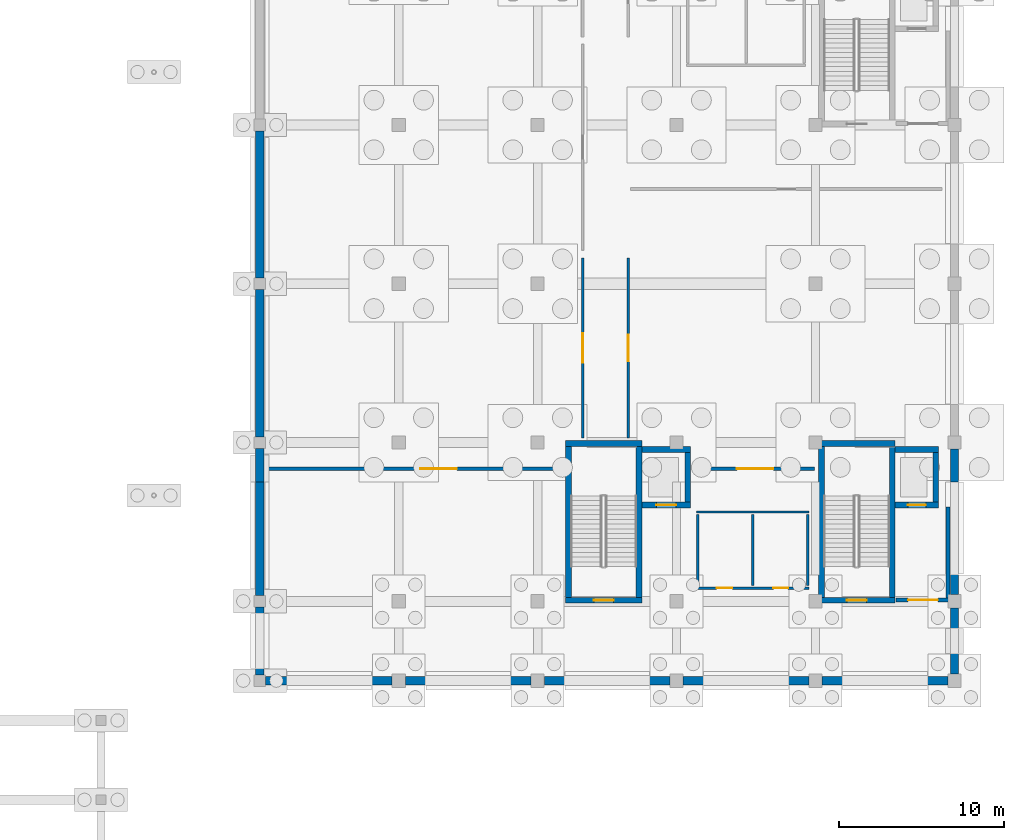
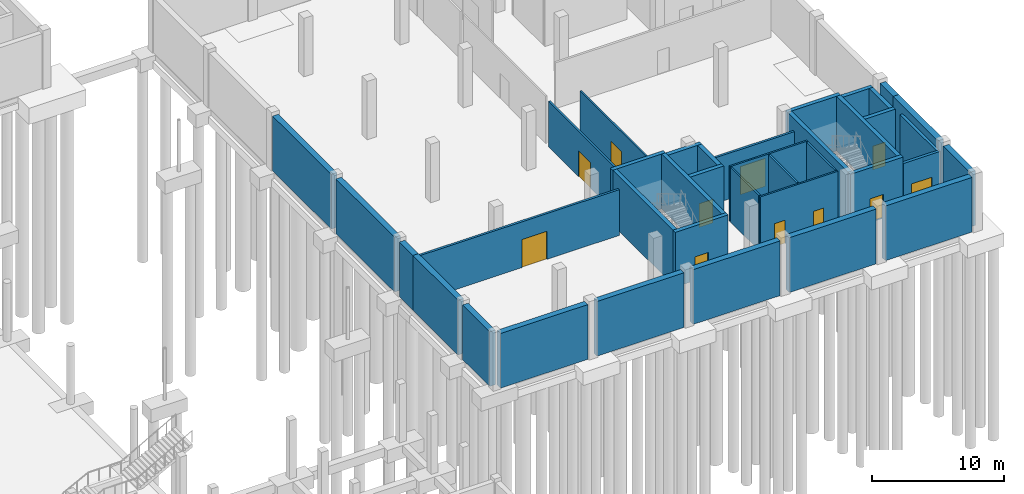
# One storey, part 27 of 41: 38 walls, 11 doors, 11 openings.
"""IFC4 building model written with IfcOpenShell, lengths in metres."""

from ifc_helpers import new_model, si_unit, direction, frame, frame_2d, origin, place, context, subcontext, project, spatial, rectangle, extrude, material, layer, layer_set, type_object, element, fill, save


model = new_model("IFC4")

# Units and contexts
model_context = context("Model", 3, precision=1e-05, world=origin(), true_north=direction((0.0, 1.0)))
body_context = subcontext(model_context, "Body", "Model", "MODEL_VIEW")
ifc_project = project(units=[si_unit("LENGTHUNIT", "METRE"), si_unit("AREAUNIT", "SQUARE_METRE"), si_unit("VOLUMEUNIT", "CUBIC_METRE"), si_unit("PLANEANGLEUNIT", "RADIAN"), si_unit("MASSUNIT", "GRAM", prefix="KILO")], contexts=[model_context])

# Site, building, storey
site_placement = place(None, origin())
site = spatial("IfcSite", under=ifc_project, at=site_placement, CompositionType="ELEMENT")
building_placement = place(site_placement, origin())
building = spatial("IfcBuilding", under=site, at=building_placement, Name="Shalvenor Court Art Gallery", CompositionType="ELEMENT")
storey_placement = place(building_placement, frame((0.0, 0.0, -5.39990234375)))
storey = spatial("IfcBuildingStorey", under=building, at=storey_placement, Name="B01", CompositionType="ELEMENT", Elevation=-5.39990234375)

# Walls
ifc_material_1 = material(Name="Concrete C40/50", Category="concrete")
ifc_layer_1 = layer(ifc_material_1, 0.35009765625, Name="Concrete C40/50")
ifc_layer_set_1 = layer_set([ifc_layer_1], Name="Concrete C40/50")
wall_type_1 = type_object("IfcWallType", Name="CW-W1", PredefinedType="SHEAR", material=ifc_layer_set_1)
wall_1_placement = place(storey_placement, frame((168.18798828125, 59.93701171875, 0.0), z_axis=(0.0, 0.0, 1.0), x_axis=(1.0, 0.0, 0.0)))
element("IfcWall", 1, at=wall_1_placement, inside=storey, type_object=wall_type_1, Name="B01 C2 Stair Core Shear Wall N", PredefinedType="SHEAR", context=body_context, shape_type="SweptSolid", body=[
    extrude(rectangle(XDim=4.6240234375, YDim=0.35009765625, at=frame_2d((2.31201171875, 0.0))), origin(), (0.0, 0.0, 1.0), 5.059814453125),
])
wall_2_placement = place(storey_placement, frame((172.636962890625, 59.761962890625, 0.0), z_axis=(0.0, 0.0, 1.0), x_axis=(0.0, -1.0, 0.0)))
element("IfcWall", 2, at=wall_2_placement, inside=storey, type_object=wall_type_1, Name="B01 C2 Stair Core Shear Wall E", PredefinedType="SHEAR", context=body_context, shape_type="SweptSolid", body=[
    extrude(rectangle(XDim=9.1240234375, YDim=0.35009765625, at=frame_2d((4.56201171875, 0.0))), origin(), (0.0, 0.0, 1.0), 5.059814453125),
])

# Wall, opening, door
wall_3_placement = place(storey_placement, frame((172.81201171875, 50.462890625, 0.0), z_axis=(0.0, 0.0, 1.0), x_axis=(-1.0, 0.0, 0.0)))
wall_3 = element("IfcWall", 3, at=wall_3_placement, inside=storey, type_object=wall_type_1, Name="B01 C2 Stair Core Shear Wall S", PredefinedType="SHEAR", context=body_context, shape_type="SweptSolid", body=[
    extrude(rectangle(XDim=4.6240234375, YDim=0.35009765625, at=frame_2d((2.31201171875, 0.0))), origin(), (0.0, 0.0, 1.0), 5.059814453125),
])
opening_1_placement = place(wall_3_placement, frame((1.7119140625, 0.0, 0.0)))
opening_1 = element("IfcOpeningElement", 4, at=opening_1_placement, cuts=wall_3, Name="Opening FD-01", PredefinedType="OPENING", context=body_context, shape_type="SweptSolid", body=[
    extrude(rectangle(XDim=1.199951171875, YDim=2.199951171875, at=frame_2d((0.60009765625, 1.10009765625))), frame((0.0, 0.18505859375, 0.0), z_axis=(0.0, -1.0, 0.0), x_axis=(1.0, 0.0, 0.0)), (0.0, 0.0, 1.0), 0.3701171875),
])
ifc_material_2 = material(Name="Fire-rated steel stair doorset", Category="steel")
door_type_1 = type_object("IfcDoorType", Name="FD-01", OperationType="NOTDEFINED", PredefinedType="DOOR", material=ifc_material_2)
door_1_placement = place(opening_1_placement, origin())
door_1 = element("IfcDoor", 5, at=door_1_placement, inside=storey, type_object=door_type_1, Name="DR-ST-B01-C2 B01 ST-02 Fire Stair Door", OperationType="SINGLE_SWING_LEFT", OverallHeight=2.199951171875, OverallWidth=1.199951171875, PredefinedType="DOOR", context=body_context, shape_type="SweptSolid", body=[
    extrude(rectangle(XDim=1.199951171875, YDim=2.199951171875, at=frame_2d((0.60009765625, 1.10009765625))), frame((0.0, 0.02490234375, 0.0), z_axis=(0.0, -1.0, 0.0), x_axis=(1.0, 0.0, 0.0)), (0.0, 0.0, 1.0), 0.050048828125),
])
fill(opening_1, door_1)

# Walls
wall_4_placement = place(storey_placement, frame((168.363037109375, 50.637939453125, 0.0), z_axis=(0.0, 0.0, 1.0), x_axis=(0.0, 1.0, 0.0)))
element("IfcWall", 6, at=wall_4_placement, inside=storey, type_object=wall_type_1, Name="B01 C2 Stair Core Shear Wall W", PredefinedType="SHEAR", context=body_context, shape_type="SweptSolid", body=[
    extrude(rectangle(XDim=9.1240234375, YDim=0.35009765625, at=frame_2d((4.56201171875, 0.0))), origin(), (0.0, 0.0, 1.0), 5.059814453125),
])
wall_5_placement = place(storey_placement, frame((172.81201171875, 59.574951171875, 0.0), z_axis=(0.0, 0.0, 1.0), x_axis=(1.0, 0.0, 0.0)))
element("IfcWall", 7, at=wall_5_placement, inside=storey, type_object=wall_type_1, Name="B01 FL-02 Lift Shaft Wall N", PredefinedType="SHEAR", context=body_context, shape_type="SweptSolid", body=[
    extrude(rectangle(XDim=2.637939453125, YDim=0.35009765625, at=frame_2d((1.31884765625, 0.0))), origin(), (0.0, 0.0, 1.0), 5.059814453125),
])
wall_6_placement = place(storey_placement, frame((175.27490234375, 59.39990234375, 0.0), z_axis=(0.0, 0.0, 1.0), x_axis=(0.0, -1.0, 0.0)))
element("IfcWall", 8, at=wall_6_placement, inside=storey, type_object=wall_type_1, Name="B01 FL-02 Lift Shaft Wall E", PredefinedType="SHEAR", context=body_context, shape_type="SweptSolid", body=[
    extrude(rectangle(XDim=3.0, YDim=0.35009765625, at=frame_2d((1.5, 0.0))), origin(), (0.0, 0.0, 1.0), 5.059814453125),
])

# Wall, opening, door
wall_7_placement = place(storey_placement, frame((175.449951171875, 56.22509765625, 0.0), z_axis=(0.0, 0.0, 1.0), x_axis=(-1.0, 0.0, 0.0)))
wall_7 = element("IfcWall", 9, at=wall_7_placement, inside=storey, type_object=wall_type_1, Name="B01 FL-02 Lift Shaft Wall S", PredefinedType="SHEAR", context=body_context, shape_type="SweptSolid", body=[
    extrude(rectangle(XDim=2.637939453125, YDim=0.35009765625, at=frame_2d((1.31884765625, 0.0))), origin(), (0.0, 0.0, 1.0), 5.059814453125),
])
opening_2_placement = place(wall_7_placement, frame((0.76904296875, 0.0, 0.0)))
opening_2 = element("IfcOpeningElement", 10, at=opening_2_placement, cuts=wall_7, Name="Opening LD-01", PredefinedType="OPENING", context=body_context, shape_type="SweptSolid", body=[
    extrude(rectangle(XDim=1.10009765625, YDim=2.199951171875, at=frame_2d((0.550048828125, 1.10009765625))), frame((0.0, 0.18505859375, 0.0), z_axis=(0.0, -1.0, 0.0), x_axis=(1.0, 0.0, 0.0)), (0.0, 0.0, 1.0), 0.3701171875),
])
ifc_material_3 = material(Name="Stainless steel firefighting lift sliding landing door", Category="steel")
door_type_2 = type_object("IfcDoorType", Name="LD-01", OperationType="NOTDEFINED", PredefinedType="DOOR", material=ifc_material_3)
door_2_placement = place(opening_2_placement, origin())
door_2 = element("IfcDoor", 11, at=door_2_placement, inside=storey, type_object=door_type_2, Name="DR-LD-B01-FL-02 B01 FL-02 Lift Landing Sliding Door", OperationType="DOUBLE_DOOR_SLIDING", OverallHeight=2.199951171875, OverallWidth=1.10009765625, PredefinedType="DOOR", context=body_context, shape_type="SweptSolid", body=[
    extrude(rectangle(XDim=1.10009765625, YDim=2.199951171875, at=frame_2d((0.550048828125, 1.10009765625))), frame((0.0, 0.02490234375, 0.0), z_axis=(0.0, -1.0, 0.0), x_axis=(1.0, 0.0, 0.0)), (0.0, 0.0, 1.0), 0.050048828125),
])
fill(opening_2, door_2)

# Walls
wall_8_placement = place(storey_placement, frame((152.887939453125, 59.93701171875, 0.0), z_axis=(0.0, 0.0, 1.0), x_axis=(1.0, 0.0, 0.0)))
element("IfcWall", 12, at=wall_8_placement, inside=storey, type_object=wall_type_1, Name="B01 C3 Stair Core Shear Wall N", PredefinedType="SHEAR", context=body_context, shape_type="SweptSolid", body=[
    extrude(rectangle(XDim=4.6240234375, YDim=0.35009765625, at=frame_2d((2.31201171875, 0.0))), origin(), (0.0, 0.0, 1.0), 5.059814453125),
])
wall_9_placement = place(storey_placement, frame((157.3369140625, 59.761962890625, 0.0), z_axis=(0.0, 0.0, 1.0), x_axis=(0.0, -1.0, 0.0)))
element("IfcWall", 13, at=wall_9_placement, inside=storey, type_object=wall_type_1, Name="B01 C3 Stair Core Shear Wall E", PredefinedType="SHEAR", context=body_context, shape_type="SweptSolid", body=[
    extrude(rectangle(XDim=9.1240234375, YDim=0.35009765625, at=frame_2d((4.56201171875, 0.0))), origin(), (0.0, 0.0, 1.0), 5.059814453125),
])

# Wall, opening, door
wall_10_placement = place(storey_placement, frame((157.511962890625, 50.462890625, 0.0), z_axis=(0.0, 0.0, 1.0), x_axis=(-1.0, 0.0, 0.0)))
wall_10 = element("IfcWall", 14, at=wall_10_placement, inside=storey, type_object=wall_type_1, Name="B01 C3 Stair Core Shear Wall S", PredefinedType="SHEAR", context=body_context, shape_type="SweptSolid", body=[
    extrude(rectangle(XDim=4.6240234375, YDim=0.35009765625, at=frame_2d((2.31201171875, 0.0))), origin(), (0.0, 0.0, 1.0), 5.059814453125),
])
opening_3_placement = place(wall_10_placement, frame((1.7119140625, 0.0, 0.0)))
opening_3 = element("IfcOpeningElement", 15, at=opening_3_placement, cuts=wall_10, Name="Opening FD-01", PredefinedType="OPENING", context=body_context, shape_type="SweptSolid", body=[
    extrude(rectangle(XDim=1.199951171875, YDim=2.199951171875, at=frame_2d((0.60009765625, 1.10009765625))), frame((0.0, 0.18505859375, 0.0), z_axis=(0.0, -1.0, 0.0), x_axis=(1.0, 0.0, 0.0)), (0.0, 0.0, 1.0), 0.3701171875),
])
door_3_placement = place(opening_3_placement, origin())
door_3 = element("IfcDoor", 16, at=door_3_placement, inside=storey, type_object=door_type_1, Name="DR-ST-B01-C3 B01 ST-03 Fire Stair Door", OperationType="SINGLE_SWING_RIGHT", OverallHeight=2.199951171875, OverallWidth=1.199951171875, PredefinedType="DOOR", context=body_context, shape_type="SweptSolid", body=[
    extrude(rectangle(XDim=1.199951171875, YDim=2.199951171875, at=frame_2d((0.60009765625, 1.10009765625))), frame((0.0, 0.02490234375, 0.0), z_axis=(0.0, -1.0, 0.0), x_axis=(1.0, 0.0, 0.0)), (0.0, 0.0, 1.0), 0.050048828125),
])
fill(opening_3, door_3)

# Walls
wall_11_placement = place(storey_placement, frame((153.06298828125, 50.637939453125, 0.0), z_axis=(0.0, 0.0, 1.0), x_axis=(0.0, 1.0, 0.0)))
element("IfcWall", 17, at=wall_11_placement, inside=storey, type_object=wall_type_1, Name="B01 C3 Stair Core Shear Wall W", PredefinedType="SHEAR", context=body_context, shape_type="SweptSolid", body=[
    extrude(rectangle(XDim=9.1240234375, YDim=0.35009765625, at=frame_2d((4.56201171875, 0.0))), origin(), (0.0, 0.0, 1.0), 5.059814453125),
])
wall_12_placement = place(storey_placement, frame((157.511962890625, 59.574951171875, 0.0), z_axis=(0.0, 0.0, 1.0), x_axis=(1.0, 0.0, 0.0)))
element("IfcWall", 18, at=wall_12_placement, inside=storey, type_object=wall_type_1, Name="B01 PL-01 Lift Shaft Wall N", PredefinedType="SHEAR", context=body_context, shape_type="SweptSolid", body=[
    extrude(rectangle(XDim=2.93798828125, YDim=0.35009765625, at=frame_2d((1.468994140625, 0.0))), origin(), (0.0, 0.0, 1.0), 5.059814453125),
])
wall_13_placement = place(storey_placement, frame((160.27490234375, 59.39990234375, 0.0), z_axis=(0.0, 0.0, 1.0), x_axis=(0.0, -1.0, 0.0)))
element("IfcWall", 19, at=wall_13_placement, inside=storey, type_object=wall_type_1, Name="B01 PL-01 Lift Shaft Wall E", PredefinedType="SHEAR", context=body_context, shape_type="SweptSolid", body=[
    extrude(rectangle(XDim=3.0, YDim=0.35009765625, at=frame_2d((1.5, 0.0))), origin(), (0.0, 0.0, 1.0), 5.059814453125),
])

# Wall, opening, door
wall_14_placement = place(storey_placement, frame((160.449951171875, 56.22509765625, 0.0), z_axis=(0.0, 0.0, 1.0), x_axis=(-1.0, 0.0, 0.0)))
wall_14 = element("IfcWall", 20, at=wall_14_placement, inside=storey, type_object=wall_type_1, Name="B01 PL-01 Lift Shaft Wall S", PredefinedType="SHEAR", context=body_context, shape_type="SweptSolid", body=[
    extrude(rectangle(XDim=2.93798828125, YDim=0.35009765625, at=frame_2d((1.468994140625, 0.0))), origin(), (0.0, 0.0, 1.0), 5.059814453125),
])
opening_4_placement = place(wall_14_placement, frame((0.868896484375, 0.0, 0.0)))
opening_4 = element("IfcOpeningElement", 21, at=opening_4_placement, cuts=wall_14, Name="Opening LD-02", PredefinedType="OPENING", context=body_context, shape_type="SweptSolid", body=[
    extrude(rectangle(XDim=1.199951171875, YDim=2.199951171875, at=frame_2d((0.60009765625, 1.10009765625))), frame((0.0, 0.18505859375, 0.0), z_axis=(0.0, -1.0, 0.0), x_axis=(1.0, 0.0, 0.0)), (0.0, 0.0, 1.0), 0.3701171875),
])
ifc_material_4 = material(Name="Brushed stainless passenger lift sliding landing door", Category="steel")
door_type_3 = type_object("IfcDoorType", Name="LD-02", OperationType="NOTDEFINED", PredefinedType="DOOR", material=ifc_material_4)
door_4_placement = place(opening_4_placement, origin())
door_4 = element("IfcDoor", 22, at=door_4_placement, inside=storey, type_object=door_type_3, Name="DR-LD-B01-PL-01 B01 PL-01 Lift Landing Sliding Door", OperationType="DOUBLE_DOOR_SLIDING", OverallHeight=2.199951171875, OverallWidth=1.199951171875, PredefinedType="DOOR", context=body_context, shape_type="SweptSolid", body=[
    extrude(rectangle(XDim=1.199951171875, YDim=2.199951171875, at=frame_2d((0.60009765625, 1.10009765625))), frame((0.0, 0.02490234375, 0.0), z_axis=(0.0, -1.0, 0.0), x_axis=(1.0, 0.0, 0.0)), (0.0, 0.0, 1.0), 0.050048828125),
])
fill(opening_4, door_4)

# Wall
ifc_material_5 = material(Name="Concrete blockwork fire wall", Category="masonry")
ifc_layer_2 = layer(ifc_material_5, 0.239990234375, Name="Concrete blockwork fire wall")
ifc_layer_set_2 = layer_set([ifc_layer_2], Name="Concrete blockwork fire wall")
wall_type_2 = type_object("IfcWallType", Name="FW-01", PredefinedType="PARTITIONING", material=ifc_layer_set_2)
wall_15_placement = place(storey_placement, frame((176.0, 56.10009765625, 0.0), z_axis=(0.0, 0.0, 1.0), x_axis=(0.0, -1.0, 0.0)))
element("IfcWall", 23, at=wall_15_placement, inside=storey, type_object=wall_type_2, Name="B01 C2 Firefighting Lobby Wall E", PredefinedType="PARTITIONING", context=body_context, shape_type="SweptSolid", body=[
    extrude(rectangle(XDim=5.5, YDim=0.239990234375, at=frame_2d((2.75, 0.0))), origin(), (0.0, 0.0, 1.0), 4.385009765625),
])

# Wall, opening, door
wall_16_placement = place(storey_placement, frame((176.1201171875, 50.47998046875, 0.0), z_axis=(0.0, 0.0, 1.0), x_axis=(-1.0, 0.0, 0.0)))
wall_16 = element("IfcWall", 24, at=wall_16_placement, inside=storey, type_object=wall_type_2, Name="B01 C2 Firefighting Lobby Wall S", PredefinedType="PARTITIONING", context=body_context, shape_type="SweptSolid", body=[
    extrude(rectangle(XDim=3.25, YDim=0.239990234375, at=frame_2d((1.625, 0.0))), origin(), (0.0, 0.0, 1.0), 4.385009765625),
])
opening_5_placement = place(wall_16_placement, frame((0.72509765625, 0.0, 0.0)))
opening_5 = element("IfcOpeningElement", 25, at=opening_5_placement, cuts=wall_16, Name="Opening FD-02", PredefinedType="OPENING", context=body_context, shape_type="SweptSolid", body=[
    extrude(rectangle(XDim=1.800048828125, YDim=2.25, at=frame_2d((0.89990234375, 1.125))), frame((0.0, 0.1298828125, 0.0), z_axis=(0.0, -1.0, 0.0), x_axis=(1.0, 0.0, 0.0)), (0.0, 0.0, 1.0), 0.260009765625),
])
ifc_material_6 = material(Name="Fire-rated double lobby doorset", Category="steel")
door_type_4 = type_object("IfcDoorType", Name="FD-02", OperationType="NOTDEFINED", PredefinedType="DOOR", material=ifc_material_6)
door_5_placement = place(opening_5_placement, origin())
door_5 = element("IfcDoor", 26, at=door_5_placement, inside=storey, type_object=door_type_4, Name="DR-FFL-B01-C2 B01 C2 Firefighting Lobby Double Door", OperationType="DOUBLE_DOOR_SINGLE_SWING", OverallHeight=2.25, OverallWidth=1.800048828125, PredefinedType="DOOR", context=body_context, shape_type="SweptSolid", body=[
    extrude(rectangle(XDim=1.800048828125, YDim=2.25, at=frame_2d((0.89990234375, 1.125))), frame((0.0, 0.02490234375, 0.0), z_axis=(0.0, -1.0, 0.0), x_axis=(1.0, 0.0, 0.0)), (0.0, 0.0, 1.0), 0.050048828125),
])
fill(opening_5, door_5)

ifc_material_7 = material(Name="Double-stud acoustic gallery partition", Category="other")
ifc_layer_3 = layer(ifc_material_7, 0.1650390625, Name="Double-stud acoustic gallery partition")
ifc_layer_set_3 = layer_set([ifc_layer_3], Name="Double-stud acoustic gallery partition")
wall_type_3 = type_object("IfcWallType", Name="PT-02", PredefinedType="PARTITIONING", material=ifc_layer_set_3)
wall_17_placement = place(storey_placement, frame((153.919921875, 71.169921875, 0.0), z_axis=(0.0, 0.0, 1.0), x_axis=(0.0, -1.0, 0.0)))
wall_17 = element("IfcWall", 27, at=wall_17_placement, inside=storey, type_object=wall_type_3, Name="B01 Conservation Imaging Laboratory Partition 574", PredefinedType="PARTITIONING", context=body_context, shape_type="SweptSolid", body=[
    extrude(rectangle(XDim=10.89990234375, YDim=0.1650390625, at=frame_2d((5.449951171875, 0.0))), origin(), (0.0, 0.0, 1.0), 4.184814453125),
])
opening_6_placement = place(wall_17_placement, frame((4.550048828125, 0.0, 0.0)))
opening_6 = element("IfcOpeningElement", 28, at=opening_6_placement, cuts=wall_17, Name="Opening ID-01", PredefinedType="OPENING", context=body_context, shape_type="SweptSolid", body=[
    extrude(rectangle(XDim=1.800048828125, YDim=2.39990234375, at=frame_2d((0.89990234375, 1.199951171875))), frame((0.0, 0.092529296875, 0.0), z_axis=(0.0, -1.0, 0.0), x_axis=(1.0, 0.0, 0.0)), (0.0, 0.0, 1.0), 0.18505859375),
])
ifc_material_8 = material(Name="Oak-veneered acoustic gallery double doorset", Category="wood")
door_type_5 = type_object("IfcDoorType", Name="ID-01", OperationType="NOTDEFINED", PredefinedType="DOOR", material=ifc_material_8)
door_6_placement = place(opening_6_placement, origin())
door_6 = element("IfcDoor", 29, at=door_6_placement, inside=storey, type_object=door_type_5, Name="DR-RM-B01-0105 B01 Conservation Imaging Laboratory Door", OperationType="DOUBLE_DOOR_SINGLE_SWING", OverallHeight=2.39990234375, OverallWidth=1.800048828125, PredefinedType="DOOR", context=body_context, shape_type="SweptSolid", body=[
    extrude(rectangle(XDim=1.800048828125, YDim=2.39990234375, at=frame_2d((0.89990234375, 1.199951171875))), frame((0.0, 0.02490234375, 0.0), z_axis=(0.0, -1.0, 0.0), x_axis=(1.0, 0.0, 0.0)), (0.0, 0.0, 1.0), 0.050048828125),
])
fill(opening_6, door_6)

# Wall, openings, doors
ifc_material_9 = material(Name="Moisture-resistant sanitary partition", Category="other")
ifc_layer_4 = layer(ifc_material_9, 0.14990234375, Name="Moisture-resistant sanitary partition")
ifc_layer_set_4 = layer_set([ifc_layer_4], Name="Moisture-resistant sanitary partition")
wall_type_4 = type_object("IfcWallType", Name="PT-03", PredefinedType="PARTITIONING", material=ifc_layer_set_4)
wall_18_placement = place(storey_placement, frame((167.60009765625, 51.199951171875, 0.0), z_axis=(0.0, 0.0, 1.0), x_axis=(-1.0, 0.0, 0.0)))
wall_18 = element("IfcWall", 30, at=wall_18_placement, inside=storey, type_object=wall_type_4, Name="B01 C2 Restroom Front Partition", PredefinedType="PARTITIONING", context=body_context, shape_type="SweptSolid", body=[
    extrude(rectangle(XDim=6.800048828125, YDim=0.14990234375, at=frame_2d((3.39990234375, 0.0))), origin(), (0.0, 0.0, 1.0), 5.059814453125),
])
opening_7_placement = place(wall_18_placement, frame((1.25, 0.0, 0.0)))
opening_7 = element("IfcOpeningElement", 31, at=opening_7_placement, cuts=wall_18, Name="Opening ID-07", PredefinedType="OPENING", context=body_context, shape_type="SweptSolid", body=[
    extrude(rectangle(XDim=0.89990234375, YDim=2.10009765625, at=frame_2d((0.449951171875, 1.050048828125))), frame((0.0, 0.0849609375, 0.0), z_axis=(0.0, -1.0, 0.0), x_axis=(1.0, 0.0, 0.0)), (0.0, 0.0, 1.0), 0.169921875),
])
opening_8_placement = place(wall_18_placement, frame((4.625, 0.0, 0.0)))
opening_8 = element("IfcOpeningElement", 32, at=opening_8_placement, cuts=wall_18, Name="Opening ID-06", PredefinedType="OPENING", context=body_context, shape_type="SweptSolid", body=[
    extrude(rectangle(XDim=0.949951171875, YDim=2.14990234375, at=frame_2d((0.47509765625, 1.074951171875))), frame((0.0, 0.0849609375, 0.0), z_axis=(0.0, -1.0, 0.0), x_axis=(1.0, 0.0, 0.0)), (0.0, 0.0, 1.0), 0.169921875),
])
ifc_material_10 = material(Name="Accessible restroom doorset", Category="steel")
door_type_6 = type_object("IfcDoorType", Name="ID-06", OperationType="NOTDEFINED", PredefinedType="DOOR", material=ifc_material_10)
door_7_placement = place(opening_8_placement, origin())
door_7 = element("IfcDoor", 33, at=door_7_placement, inside=storey, type_object=door_type_6, Name="DR-AWC-B01-C2-2 B01 C2 Accessible Restroom Door", OperationType="SINGLE_SWING_LEFT", OverallHeight=2.14990234375, OverallWidth=0.949951171875, PredefinedType="DOOR", context=body_context, shape_type="SweptSolid", body=[
    extrude(rectangle(XDim=0.949951171875, YDim=2.14990234375, at=frame_2d((0.47509765625, 1.074951171875))), frame((0.0, 0.02490234375, 0.0), z_axis=(0.0, -1.0, 0.0), x_axis=(1.0, 0.0, 0.0)), (0.0, 0.0, 1.0), 0.050048828125),
])
fill(opening_8, door_7)
ifc_material_11 = material(Name="Restroom timber doorset", Category="wood")
door_type_7 = type_object("IfcDoorType", Name="ID-07", OperationType="NOTDEFINED", PredefinedType="DOOR", material=ifc_material_11)
door_8_placement = place(opening_7_placement, origin())
door_8 = element("IfcDoor", 34, at=door_8_placement, inside=storey, type_object=door_type_7, Name="DR-WC-B01-C2-1 B01 C2 Public Restroom Door", OperationType="SINGLE_SWING_RIGHT", OverallHeight=2.10009765625, OverallWidth=0.89990234375, PredefinedType="DOOR", context=body_context, shape_type="SweptSolid", body=[
    extrude(rectangle(XDim=0.89990234375, YDim=2.10009765625, at=frame_2d((0.449951171875, 1.050048828125))), frame((0.0, 0.02490234375, 0.0), z_axis=(0.0, -1.0, 0.0), x_axis=(1.0, 0.0, 0.0)), (0.0, 0.0, 1.0), 0.050048828125),
])
fill(opening_7, door_8)

# Walls
wall_19_placement = place(storey_placement, frame((160.800048828125, 55.800048828125, 0.0), z_axis=(0.0, 0.0, 1.0), x_axis=(1.0, 0.0, 0.0)))
element("IfcWall", 35, at=wall_19_placement, inside=storey, type_object=wall_type_4, Name="B01 C2 Restroom Back Partition", PredefinedType="PARTITIONING", context=body_context, shape_type="SweptSolid", body=[
    extrude(rectangle(XDim=6.800048828125, YDim=0.14990234375, at=frame_2d((3.39990234375, 0.0))), origin(), (0.0, 0.0, 1.0), 5.059814453125),
])
for number, where, z_axis, x_axis, name in (
    (36, (160.875, 51.360107421875, 0.0), (0.0, 0.0, 1.0), (0.0, 1.0, 0.0), "B01 C2 Restroom Partition L"),
    (37, (164.199951171875, 51.360107421875, 0.0), (0.0, 0.0, 1.0), (0.0, 1.0, 0.0), "B01 C2 Restroom Partition M"),
    (38, (167.52490234375, 51.360107421875, 0.0), (0.0, 0.0, 1.0), (0.0, 1.0, 0.0), "B01 C2 Restroom Partition R"),
):
    element("IfcWall", number, at=place(storey_placement, frame(where, z_axis=z_axis, x_axis=x_axis)), inside=storey, type_object=wall_type_4, Name=name, PredefinedType="PARTITIONING", context=body_context, shape_type="SweptSolid", body=[
        extrude(rectangle(XDim=4.27978515625, YDim=0.14990234375, at=frame_2d((2.139892578125, 0.0))), origin(), (0.0, 0.0, 1.0), 5.059814453125),
    ])

# Wall, opening, door
ifc_material_12 = material(Name="Insulated studio acoustic partition", Category="other")
ifc_layer_5 = layer(ifc_material_12, 0.135009765625, Name="Insulated studio acoustic partition")
ifc_layer_set_5 = layer_set([ifc_layer_5], Name="Insulated studio acoustic partition")
wall_type_5 = type_object("IfcWallType", Name="PT-04", PredefinedType="PARTITIONING", material=ifc_layer_set_5)
wall_20_placement = place(storey_placement, frame((156.679931640625, 60.27001953125, 0.0), z_axis=(0.0, 0.0, 1.0), x_axis=(0.0, 1.0, 0.0)))
wall_20 = element("IfcWall", 39, at=wall_20_placement, inside=storey, type_object=wall_type_5, Name="B01 Conservation Imaging Laboratory Wing B Partition 575", PredefinedType="PARTITIONING", context=body_context, shape_type="SweptSolid", body=[
    extrude(rectangle(XDim=10.89990234375, YDim=0.135009765625, at=frame_2d((5.449951171875, 0.0))), origin(), (0.0, 0.0, 1.0), 4.184814453125),
])
opening_9_placement = place(wall_20_placement, frame((4.64990234375, 0.0, 0.0)))
opening_9 = element("IfcOpeningElement", 40, at=opening_9_placement, cuts=wall_20, Name="Opening ID-02", PredefinedType="OPENING", context=body_context, shape_type="SweptSolid", body=[
    extrude(rectangle(XDim=1.60009765625, YDim=2.35009765625, at=frame_2d((0.800048828125, 1.175048828125))), frame((0.0, 0.077392578125, 0.0), z_axis=(0.0, -1.0, 0.0), x_axis=(1.0, 0.0, 0.0)), (0.0, 0.0, 1.0), 0.155029296875),
])
ifc_material_13 = material(Name="Oak-veneered gallery double doorset", Category="wood")
door_type_8 = type_object("IfcDoorType", Name="ID-02", OperationType="NOTDEFINED", PredefinedType="DOOR", material=ifc_material_13)
door_9_placement = place(opening_9_placement, origin())
door_9 = element("IfcDoor", 41, at=door_9_placement, inside=storey, type_object=door_type_8, Name="DR-RM-B01-0106 B01 Conservation Imaging Laboratory Wing B Door", OperationType="DOUBLE_DOOR_SINGLE_SWING", OverallHeight=2.35009765625, OverallWidth=1.60009765625, PredefinedType="DOOR", context=body_context, shape_type="SweptSolid", body=[
    extrude(rectangle(XDim=1.60009765625, YDim=2.35009765625, at=frame_2d((0.800048828125, 1.175048828125))), frame((0.0, 0.02490234375, 0.0), z_axis=(0.0, -1.0, 0.0), x_axis=(1.0, 0.0, 0.0)), (0.0, 0.0, 1.0), 0.050048828125),
])
fill(opening_9, door_9)

# Walls
ifc_material_14 = material(Name="Concrete C40/50", Category="concrete")
ifc_layer_6 = layer(ifc_material_14, 0.5, Name="Concrete C40/50")
ifc_layer_set_6 = layer_set([ifc_layer_6], Name="Concrete C40/50")
wall_type_6 = type_object("IfcWallType", Name="RW-01", PredefinedType="USERDEFINED", material=ifc_layer_set_6)
wall_21_placement = place(storey_placement, frame((176.39990234375, 59.60009765625, 0.0), z_axis=(0.0, 0.0, 1.0), x_axis=(0.0, -1.0, 0.0)))
element("IfcWall", 42, at=wall_21_placement, inside=storey, type_object=wall_type_6, Name="B01 Retaining Wall WL-B01-0010", ObjectType="RETAINING WALL", PredefinedType="USERDEFINED", context=body_context, shape_type="SweptSolid", body=[
    extrude(rectangle(XDim=2.0, YDim=0.5, at=frame_2d((1.0, 0.0))), origin(), (0.0, 0.0, 1.0), 5.059814453125),
])
wall_22_placement = place(storey_placement, frame((176.39990234375, 57.60009765625, 0.0), z_axis=(0.0, 0.0, 1.0), x_axis=(0.0, -1.0, 0.0)))
element("IfcWall", 43, at=wall_22_placement, inside=storey, type_object=wall_type_6, Name="B01 Retaining Wall WL-B01-0011", ObjectType="RETAINING WALL", PredefinedType="USERDEFINED", context=body_context, shape_type="SweptSolid", body=[
    extrude(rectangle(XDim=6.800048828125, YDim=0.5, at=frame_2d((3.39990234375, 0.0))), origin(), (0.0, 0.0, 1.0), 5.059814453125),
])
wall_23_placement = place(storey_placement, frame((176.39990234375, 50.0, 0.0), z_axis=(0.0, 0.0, 1.0), x_axis=(0.0, -1.0, 0.0)))
element("IfcWall", 44, at=wall_23_placement, inside=storey, type_object=wall_type_6, Name="B01 Retaining Wall WL-B01-0012", ObjectType="RETAINING WALL", PredefinedType="USERDEFINED", context=body_context, shape_type="SweptSolid", body=[
    extrude(rectangle(XDim=4.0, YDim=0.5, at=frame_2d((2.0, 0.0))), origin(), (0.0, 0.0, 1.0), 5.059814453125),
])
for number, where, z_axis, x_axis, name in (
    (45, (176.0, 45.60009765625, 0.0), (0.0, 0.0, 1.0), (-1.0, 0.0, 0.0), "B01 Retaining Wall WL-B01-0013"),
    (46, (167.60009765625, 45.60009765625, 0.0), (0.0, 0.0, 1.0), (-1.0, 0.0, 0.0), "B01 Retaining Wall WL-B01-0014"),
):
    element("IfcWall", number, at=place(storey_placement, frame(where, z_axis=z_axis, x_axis=x_axis)), inside=storey, type_object=wall_type_6, Name=name, ObjectType="RETAINING WALL", PredefinedType="USERDEFINED", context=body_context, shape_type="SweptSolid", body=[
        extrude(rectangle(XDim=7.60009765625, YDim=0.5, at=frame_2d((3.800048828125, 0.0))), origin(), (0.0, 0.0, 1.0), 5.059814453125),
    ])
wall_24_placement = place(storey_placement, frame((159.199951171875, 45.60009765625, 0.0), z_axis=(0.0, 0.0, 1.0), x_axis=(-1.0, 0.0, 0.0)))
element("IfcWall", 47, at=wall_24_placement, inside=storey, type_object=wall_type_6, Name="B01 Retaining Wall WL-B01-0015", ObjectType="RETAINING WALL", PredefinedType="USERDEFINED", context=body_context, shape_type="SweptSolid", body=[
    extrude(rectangle(XDim=7.599853515625, YDim=0.5, at=frame_2d((3.7998046875, 0.0))), origin(), (0.0, 0.0, 1.0), 5.059814453125),
])
wall_25_placement = place(storey_placement, frame((150.800048828125, 45.60009765625, 0.0), z_axis=(0.0, 0.0, 1.0), x_axis=(-1.0, 0.0, 0.0)))
element("IfcWall", 48, at=wall_25_placement, inside=storey, type_object=wall_type_6, Name="B01 Retaining Wall WL-B01-0016", ObjectType="RETAINING WALL", PredefinedType="USERDEFINED", context=body_context, shape_type="SweptSolid", body=[
    extrude(rectangle(XDim=7.60009765625, YDim=0.5, at=frame_2d((3.800048828125, 0.0))), origin(), (0.0, 0.0, 1.0), 5.059814453125),
])
wall_26_placement = place(storey_placement, frame((142.39990234375, 45.60009765625, 0.0), z_axis=(0.0, 0.0, 1.0), x_axis=(-1.0, 0.0, 0.0)))
element("IfcWall", 49, at=wall_26_placement, inside=storey, type_object=wall_type_6, Name="B01 Retaining Wall WL-B01-0017", ObjectType="RETAINING WALL", PredefinedType="USERDEFINED", context=body_context, shape_type="SweptSolid", body=[
    extrude(rectangle(XDim=7.64990234375, YDim=0.5, at=frame_2d((3.824951171875, 0.0))), origin(), (0.0, 0.0, 1.0), 5.059814453125),
])
wall_27_placement = place(storey_placement, frame((134.39990234375, 45.949951171875, 0.0), z_axis=(0.0, 0.0, 1.0), x_axis=(0.0, 1.0, 0.0)))
element("IfcWall", 50, at=wall_27_placement, inside=storey, type_object=wall_type_6, Name="B01 Retaining Wall WL-B01-0018", ObjectType="RETAINING WALL", PredefinedType="USERDEFINED", context=body_context, shape_type="SweptSolid", body=[
    extrude(rectangle(XDim=4.10009765625, YDim=0.5, at=frame_2d((2.050048828125, 0.0))), origin(), (0.0, 0.0, 1.0), 5.059814453125),
])
wall_28_placement = place(storey_placement, frame((134.39990234375, 50.75, 0.0), z_axis=(0.0, 0.0, 1.0), x_axis=(0.0, 1.0, 0.0)))
element("IfcWall", 51, at=wall_28_placement, inside=storey, type_object=wall_type_6, Name="B01 Retaining Wall WL-B01-0019", ObjectType="RETAINING WALL", PredefinedType="USERDEFINED", context=body_context, shape_type="SweptSolid", body=[
    extrude(rectangle(XDim=6.85009765625, YDim=0.5, at=frame_2d((3.425048828125, 0.0))), origin(), (0.0, 0.0, 1.0), 5.059814453125),
])
wall_29_placement = place(storey_placement, frame((134.39990234375, 57.60009765625, 0.0), z_axis=(0.0, 0.0, 1.0), x_axis=(0.0, 1.0, 0.0)))
element("IfcWall", 52, at=wall_29_placement, inside=storey, type_object=wall_type_6, Name="B01 Retaining Wall WL-B01-0020", ObjectType="RETAINING WALL", PredefinedType="USERDEFINED", context=body_context, shape_type="SweptSolid", body=[
    extrude(rectangle(XDim=2.0498046875, YDim=0.5, at=frame_2d((1.02490234375, 0.0))), origin(), (0.0, 0.0, 1.0), 5.059814453125),
])
wall_30_placement = place(storey_placement, frame((134.39990234375, 60.35009765625, 0.0), z_axis=(0.0, 0.0, 1.0), x_axis=(0.0, 1.0, 0.0)))
element("IfcWall", 53, at=wall_30_placement, inside=storey, type_object=wall_type_6, Name="B01 Retaining Wall WL-B01-0021", ObjectType="RETAINING WALL", PredefinedType="USERDEFINED", context=body_context, shape_type="SweptSolid", body=[
    extrude(rectangle(XDim=8.89990234375, YDim=0.5, at=frame_2d((4.449951171875, 0.0))), origin(), (0.0, 0.0, 1.0), 5.059814453125),
])
wall_31_placement = place(storey_placement, frame((134.39990234375, 69.949951171875, 0.0), z_axis=(0.0, 0.0, 1.0), x_axis=(0.0, 1.0, 0.0)))
element("IfcWall", 54, at=wall_31_placement, inside=storey, type_object=wall_type_6, Name="B01 Retaining Wall WL-B01-0022", ObjectType="RETAINING WALL", PredefinedType="USERDEFINED", context=body_context, shape_type="SweptSolid", body=[
    extrude(rectangle(XDim=8.900146484375, YDim=0.5, at=frame_2d((4.4501953125, 0.0))), origin(), (0.0, 0.0, 1.0), 5.059814453125),
])

# Wall, opening, door
ifc_material_15 = material(Name="Concrete blockwork vault fire wall", Category="masonry")
ifc_layer_7 = layer(ifc_material_15, 0.195068359375, Name="Concrete blockwork vault fire wall")
ifc_layer_set_7 = layer_set([ifc_layer_7], Name="Concrete blockwork vault fire wall")
wall_type_7 = type_object("IfcWallType", Name="VW-01", PredefinedType="PARTITIONING", material=ifc_layer_set_7)
wall_32_placement = place(storey_placement, frame((134.800048828125, 58.419921875, 0.0), z_axis=(0.0, 0.0, 1.0), x_axis=(1.0, 0.0, 0.0)))
wall_32 = element("IfcWall", 55, at=wall_32_placement, inside=storey, type_object=wall_type_7, Name="B01 Art Vault Storage Partition 572", PredefinedType="PARTITIONING", context=body_context, shape_type="SweptSolid", body=[
    extrude(rectangle(XDim=17.829833984375, YDim=0.195068359375, at=frame_2d((8.9150390625, 0.0))), origin(), (0.0, 0.0, 1.0), 4.23486328125),
])
opening_10_placement = place(wall_32_placement, frame((9.31494140625, 0.0, 0.0)))
opening_10 = element("IfcOpeningElement", 56, at=opening_10_placement, cuts=wall_32, Name="Opening VD-01", PredefinedType="OPENING", context=body_context, shape_type="SweptSolid", body=[
    extrude(rectangle(XDim=2.199951171875, YDim=2.60009765625, at=frame_2d((1.10009765625, 1.300048828125))), frame((0.0, 0.107421875, 0.0), z_axis=(0.0, -1.0, 0.0), x_axis=(1.0, 0.0, 0.0)), (0.0, 0.0, 1.0), 0.215087890625),
])
ifc_material_16 = material(Name="Insulated steel art-vault double doorset", Category="steel")
door_type_9 = type_object("IfcDoorType", Name="VD-01", OperationType="NOTDEFINED", PredefinedType="DOOR", material=ifc_material_16)
door_10_placement = place(opening_10_placement, origin())
door_10 = element("IfcDoor", 57, at=door_10_placement, inside=storey, type_object=door_type_9, Name="DR-RM-B01-0103 B01 Art Vault Storage Door", OperationType="DOUBLE_DOOR_SINGLE_SWING", OverallHeight=2.60009765625, OverallWidth=2.199951171875, PredefinedType="DOOR", context=body_context, shape_type="SweptSolid", body=[
    extrude(rectangle(XDim=2.199951171875, YDim=2.60009765625, at=frame_2d((1.10009765625, 1.300048828125))), frame((0.0, 0.02490234375, 0.0), z_axis=(0.0, -1.0, 0.0), x_axis=(1.0, 0.0, 0.0)), (0.0, 0.0, 1.0), 0.050048828125),
])
fill(opening_10, door_10)

wall_33_placement = place(storey_placement, frame((160.77001953125, 58.419921875, 0.0), z_axis=(0.0, 0.0, 1.0), x_axis=(1.0, 0.0, 0.0)))
wall_33 = element("IfcWall", 58, at=wall_33_placement, inside=storey, type_object=wall_type_7, Name="B01 Art Vault Storage Wing B Partition 573", PredefinedType="PARTITIONING", context=body_context, shape_type="SweptSolid", body=[
    extrude(rectangle(XDim=7.159912109375, YDim=0.195068359375, at=frame_2d((3.580078125, 0.0))), origin(), (0.0, 0.0, 1.0), 4.23486328125),
])
opening_11_placement = place(wall_33_placement, frame((2.47998046875, 0.0, 0.0)))
opening_11 = element("IfcOpeningElement", 59, at=opening_11_placement, cuts=wall_33, Name="Opening VD-01", PredefinedType="OPENING", context=body_context, shape_type="SweptSolid", body=[
    extrude(rectangle(XDim=2.199951171875, YDim=2.60009765625, at=frame_2d((1.10009765625, 1.300048828125))), frame((0.0, 0.107421875, 0.0), z_axis=(0.0, -1.0, 0.0), x_axis=(1.0, 0.0, 0.0)), (0.0, 0.0, 1.0), 0.215087890625),
])
door_11_placement = place(opening_11_placement, origin())
door_11 = element("IfcDoor", 60, at=door_11_placement, inside=storey, type_object=door_type_9, Name="DR-RM-B01-0104 B01 Art Vault Storage Wing B Door", OperationType="DOUBLE_DOOR_SINGLE_SWING", OverallHeight=2.60009765625, OverallWidth=2.199951171875, PredefinedType="DOOR", context=body_context, shape_type="SweptSolid", body=[
    extrude(rectangle(XDim=2.199951171875, YDim=2.60009765625, at=frame_2d((1.10009765625, 1.300048828125))), frame((0.0, 0.02490234375, 0.0), z_axis=(0.0, -1.0, 0.0), x_axis=(1.0, 0.0, 0.0)), (0.0, 0.0, 1.0), 0.050048828125),
])
fill(opening_11, door_11)

save(model, "model.ifc")
